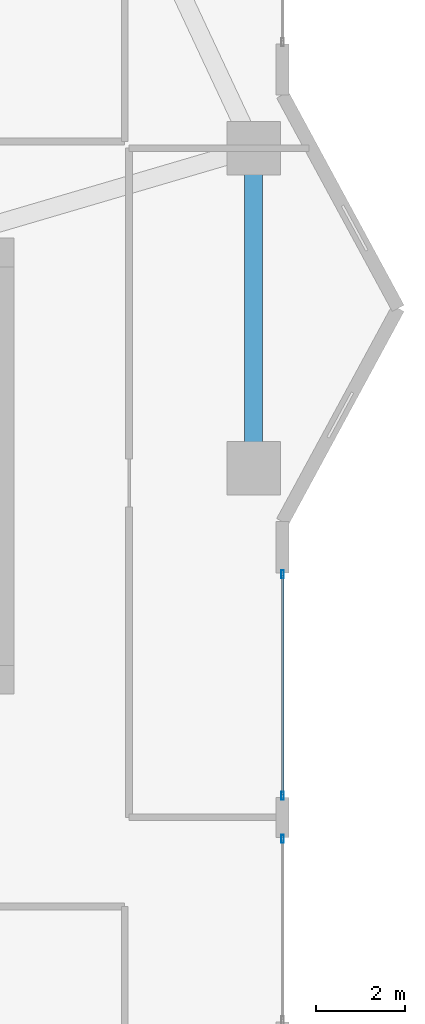
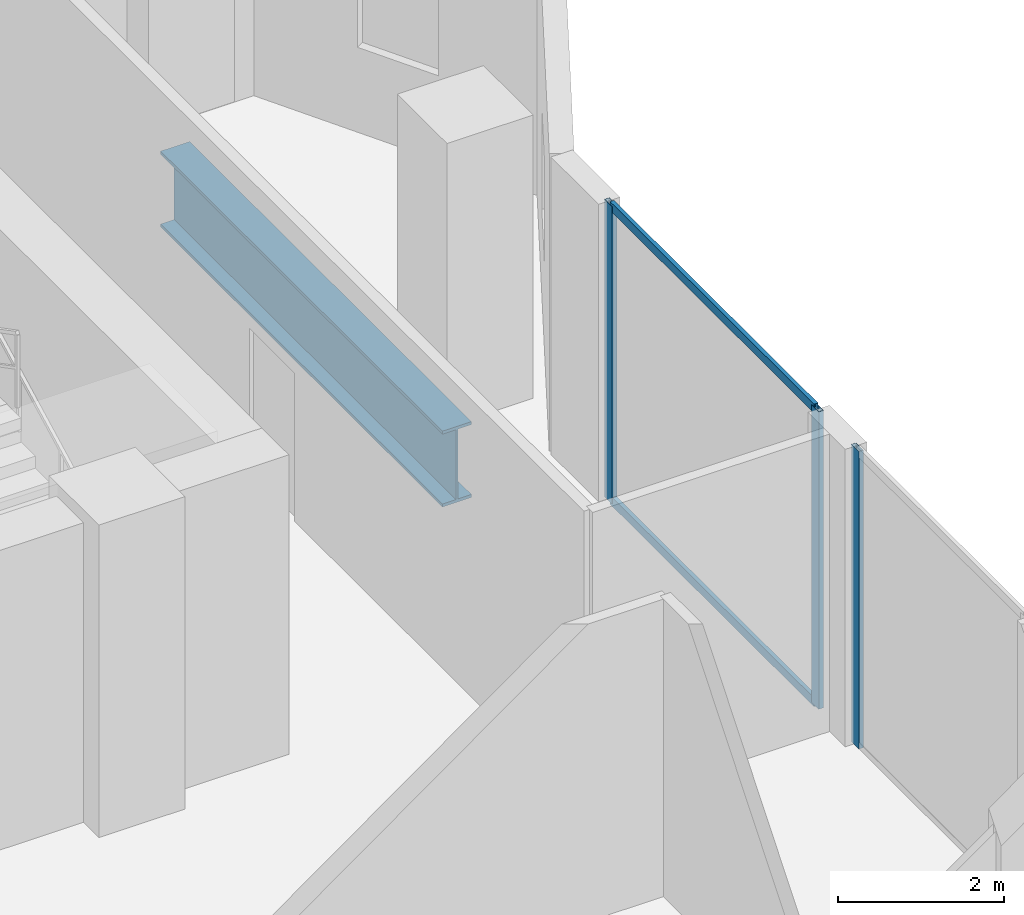
# One storey, part 13 of 33: 5 members, 1 beam, 2 elements without a shape of their own.
"""IFC4 building model written with IfcOpenShell, lengths in metres."""

from ifc_helpers import new_model, si_unit, direction, frame, origin, origin_2d, place, context, subcontext, project, spatial, hollow_rectangle, i_section, extrude, material, layer, layer_set, material_profile, profile_set, type_object, element, aggregate, save


model = new_model("IFC4")

# Units and contexts
model_context = context("Model", 3, precision=1e-05, world=origin(), true_north=direction((0.0, 1.0)))
body_context = subcontext(model_context, "Body", "Model", "MODEL_VIEW")
ifc_project = project(units=[si_unit("LENGTHUNIT", "METRE"), si_unit("AREAUNIT", "SQUARE_METRE"), si_unit("VOLUMEUNIT", "CUBIC_METRE"), si_unit("PLANEANGLEUNIT", "RADIAN"), si_unit("MASSUNIT", "GRAM", prefix="KILO")], contexts=[model_context])

# Site, building, storey
site_placement = place(None, origin())
site = spatial("IfcSite", under=ifc_project, at=site_placement, CompositionType="ELEMENT")
building_placement = place(site_placement, origin())
building = spatial("IfcBuilding", under=site, at=building_placement, Name="Zuhayl Quay Hotel", CompositionType="ELEMENT")
storey_placement = place(building_placement, frame((0.0, 0.0, 168.199951171875)))
storey = spatial("IfcBuildingStorey", under=building, at=storey_placement, Name="L42", CompositionType="ELEMENT", Elevation=168.199951171875)

# Beam
ifc_material_1 = material(Name="Steel ASTM A913 Grade 65", Category="steel")
ifc_material_profile_1 = material_profile(ifc_material_1, i_section(OverallWidth=0.404052734375, OverallDepth=1.117919921875, WebThickness=0.026123046875, FlangeThickness=0.044921875, at=origin_2d()), Name="W44X335")
ifc_profile_set_1 = profile_set([ifc_material_profile_1], Name="Steel ASTM A913 Grade 65")
beam_type = type_object("IfcBeamType", Name="BM_TG1_W44X335", PredefinedType="BEAM", material=ifc_profile_set_1)
beam_placement = place(storey_placement, frame((21.449951171875, 9.60009765625, -0.81884765625), z_axis=(0.0, 1.0, 0.0), x_axis=(-1.0, 0.0, 0.0)))
element("IfcBeam", 1, at=beam_placement, inside=storey, type_object=beam_type, Name="L42 Floor Beam RG_L42_05", PredefinedType="BEAM", context=body_context, shape_type="SweptSolid", body=[
    extrude(i_section(OverallWidth=0.404052734375, OverallDepth=1.117919921875, WebThickness=0.026123046875, FlangeThickness=0.044921875, at=origin_2d()), origin(), (0.0, 0.0, 1.0), 6.7998046875),
])

# Curtain wall, members
ifc_material_2 = material(Name="Anodised Aluminium 6063-T6", Category="aluminium")
ifc_layer = layer(ifc_material_2, 0.175048828125, Name="Anodised Aluminium 6063-T6", Category="aluminium")
ifc_layer_set = layer_set([ifc_layer], Name="Anodised Aluminium 6063-T6")
curtain_wall_type = type_object("IfcCurtainWallType", Name="CW_SYS_Z3", PredefinedType="USERDEFINED", material=ifc_layer_set)
curtain_wall_1_placement = place(storey_placement, origin())
curtain_wall_1 = element("IfcCurtainWall", 2, at=curtain_wall_1_placement, inside=storey, type_object=curtain_wall_type, Name="L42 Curtain Wall ENV_L42_E14_CW1", ObjectType="UNITISED CURTAIN WALL", PredefinedType="USERDEFINED")
ifc_material_3 = material(Name="Black-anodised aluminium 6063-T6", Category="aluminium")
ifc_material_profile_2 = material_profile(ifc_material_3, hollow_rectangle(XDim=0.06494140625, YDim=0.179931640625, WallThickness=0.00341796875, at=origin_2d()), Name="ALU180X65")
ifc_profile_set_2 = profile_set([ifc_material_profile_2], Name="Black-anodised aluminium 6063-T6")
member_type_1 = type_object("IfcMemberType", Name="MB_CW_MUL_180", PredefinedType="MULLION", material=ifc_profile_set_2)
member_1_placement = place(storey_placement, frame((22.10009765625, 7.017578125, 0.0), z_axis=(0.0, 0.0, 1.0), x_axis=(1.0, 0.0, 0.0)))
member_1 = element("IfcMember", 3, at=member_1_placement, type_object=member_type_1, Name="CW-Z3 mullion 1", PredefinedType="MULLION", context=body_context, shape_type="SweptSolid", body=[
    extrude(hollow_rectangle(XDim=0.06494140625, YDim=0.179931640625, WallThickness=0.00341796875, at=origin_2d()), origin(), (0.0, 0.0, 1.0), 4.380126953125),
])
member_2_placement = place(storey_placement, frame((22.10009765625, 2.032470703125, 0.0), z_axis=(0.0, 0.0, 1.0), x_axis=(1.0, 0.0, 0.0)))
member_2 = element("IfcMember", 4, at=member_2_placement, type_object=member_type_1, Name="CW-Z3 mullion 2", PredefinedType="MULLION", context=body_context, shape_type="SweptSolid", body=[
    extrude(hollow_rectangle(XDim=0.06494140625, YDim=0.179931640625, WallThickness=0.00341796875, at=origin_2d()), origin(), (0.0, 0.0, 1.0), 4.380126953125),
])

# Curtain wall, member
curtain_wall_2_placement = place(storey_placement, origin())
curtain_wall_2 = element("IfcCurtainWall", 5, at=curtain_wall_2_placement, inside=storey, type_object=curtain_wall_type, Name="L42 Curtain Wall ENV_L42_E14_CW2", ObjectType="UNITISED CURTAIN WALL", PredefinedType="USERDEFINED")
member_3_placement = place(storey_placement, frame((22.10009765625, 1.0673828125, 0.0), z_axis=(0.0, 0.0, 1.0), x_axis=(1.0, 0.0, 0.0)))
member_3 = element("IfcMember", 6, at=member_3_placement, type_object=member_type_1, Name="CW-Z3 mullion 1", PredefinedType="MULLION", context=body_context, shape_type="SweptSolid", body=[
    extrude(hollow_rectangle(XDim=0.06494140625, YDim=0.179931640625, WallThickness=0.00341796875, at=origin_2d()), origin(), (0.0, 0.0, 1.0), 4.380126953125),
])
aggregate(curtain_wall_2, [member_3])

# Member
ifc_material_profile_3 = material_profile(ifc_material_3, hollow_rectangle(XDim=0.054931640625, YDim=0.1298828125, WallThickness=0.0029296875, at=origin_2d()), Name="ALU130X55")
ifc_profile_set_3 = profile_set([ifc_material_profile_3], Name="Black-anodised aluminium 6063-T6")
member_type_2 = type_object("IfcMemberType", Name="MB_CW_TRN_130", PredefinedType="USERDEFINED", material=ifc_profile_set_3)
member_4_placement = place(storey_placement, frame((22.10009765625, 6.985107421875, 0.027587890625), z_axis=(0.0, -1.0, 0.0), x_axis=(1.0, 0.0, 0.0)))
member_4 = element("IfcMember", 7, at=member_4_placement, type_object=member_type_2, Name="CW-Z3 transom 1.1", ObjectType="TRANSOM", PredefinedType="USERDEFINED", context=body_context, shape_type="SweptSolid", body=[
    extrude(hollow_rectangle(XDim=0.054931640625, YDim=0.1298828125, WallThickness=0.0029296875, at=origin_2d()), origin(), (0.0, 0.0, 1.0), 4.920166015625),
])

member_5_placement = place(storey_placement, frame((22.10009765625, 6.985107421875, 4.3525390625), z_axis=(0.0, -1.0, 0.0), x_axis=(1.0, 0.0, 0.0)))
member_5 = element("IfcMember", 8, at=member_5_placement, type_object=member_type_2, Name="CW-Z3 transom 1.2", ObjectType="TRANSOM", PredefinedType="USERDEFINED", context=body_context, shape_type="SweptSolid", body=[
    extrude(hollow_rectangle(XDim=0.054931640625, YDim=0.1298828125, WallThickness=0.0029296875, at=origin_2d()), origin(), (0.0, 0.0, 1.0), 4.920166015625),
])

aggregate(curtain_wall_1, [member_1, member_2, member_4, member_5])

save(model, "model.ifc")
